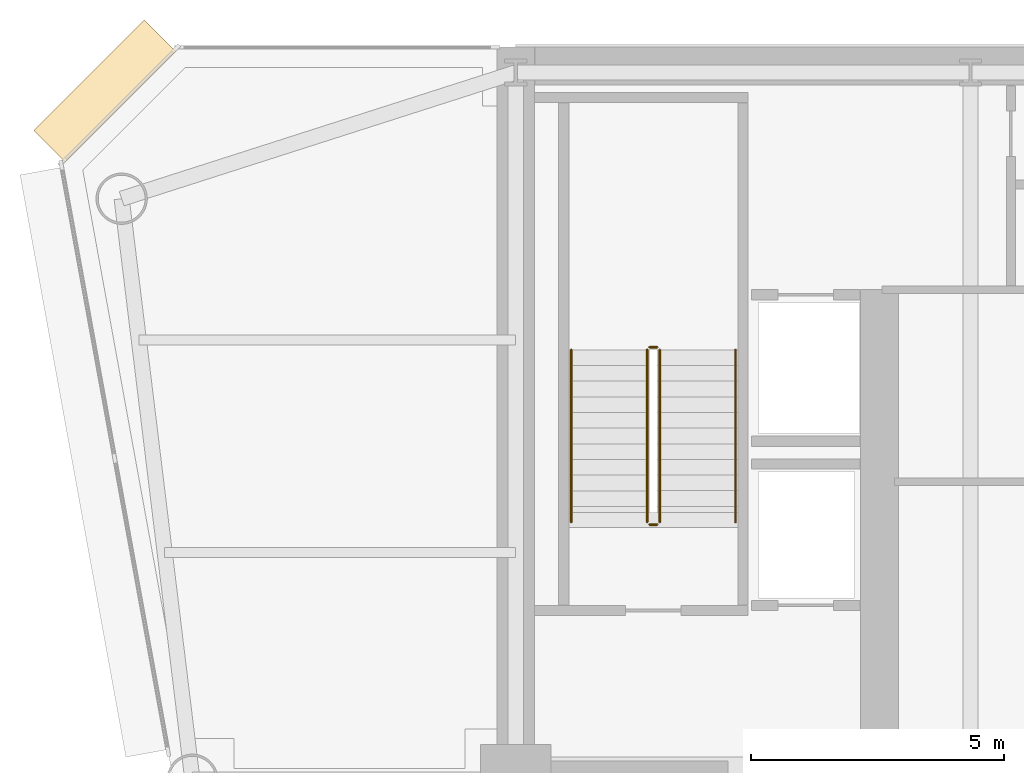
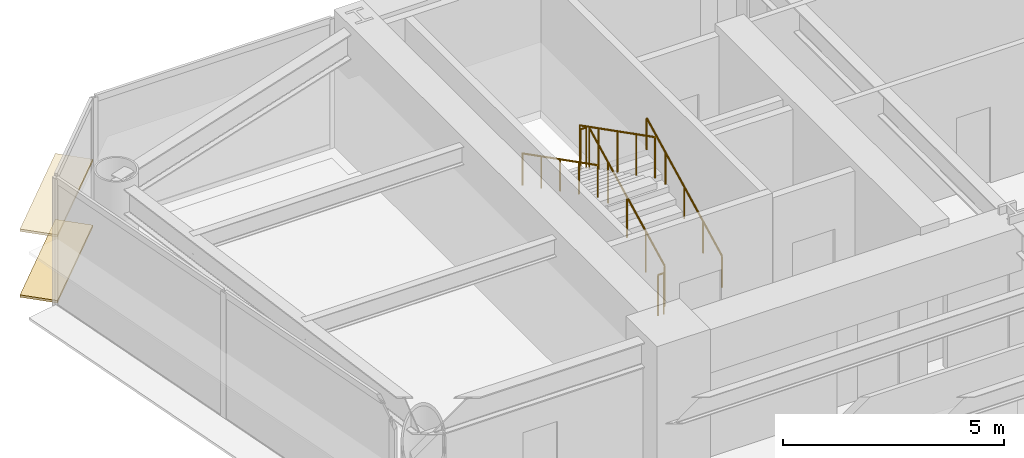
# One storey, part 12 of 14: 6 railings, 2 coverings.
"""IFC4 building model written with IfcOpenShell, lengths in metres."""

from ifc_helpers import new_model, si_unit, direction, frame, origin, origin_2d, place, context, subcontext, project, spatial, rectangle, circle, extrude, source, transform, mapped, material, layer, layer_set, type_object, element, save


model = new_model("IFC4")

# Units and contexts
model_context = context("Model", 3, precision=1e-05, world=origin(), true_north=direction((0.0, 1.0)))
body_context = subcontext(model_context, "Body", "Model", "MODEL_VIEW")
ifc_project = project(units=[si_unit("LENGTHUNIT", "METRE"), si_unit("AREAUNIT", "SQUARE_METRE"), si_unit("VOLUMEUNIT", "CUBIC_METRE"), si_unit("PLANEANGLEUNIT", "RADIAN"), si_unit("MASSUNIT", "GRAM", prefix="KILO")], contexts=[model_context])

# Site, building, storey
site_placement = place(None, origin())
site = spatial("IfcSite", under=ifc_project, at=site_placement, CompositionType="ELEMENT")
building_placement = place(site_placement, origin())
building = spatial("IfcBuilding", under=site, at=building_placement, Name="Vaeldorn Concourse Tower", CompositionType="ELEMENT")
storey_placement = place(building_placement, frame((0.0, 0.0, 122.39990234375)))
storey = spatial("IfcBuildingStorey", under=building, at=storey_placement, Name="L31", CompositionType="ELEMENT", Elevation=122.39990234375)

# Railings
ifc_material = material(Name="Anodised Bronze Aluminium", Category="aluminium")
railing_type_1 = type_object("IfcRailingType", Name="RL-STAIR-GUARD", PredefinedType="GUARDRAIL", material=ifc_material)
railing_1_placement = place(storey_placement, frame((16.85009765625, 41.60009765625, 0.158447265625)))
element("IfcRailing", 1, at=railing_1_placement, inside=storey, type_object=railing_type_1, Name="L31 ST-1 stair guard 1", PredefinedType="GUARDRAIL", context=body_context, shape_type="SweptSolid", body=[
    extrude(circle(Radius=0.02392578125, at=origin_2d()), frame((0.0, 0.0, 1.1259765625), z_axis=(0.0, 0.890555807335, 0.454873997962), x_axis=(-1.0, 0.0, 0.0)), (0.0, 0.0, 1.0), 3.828857421875),
    extrude(circle(Radius=0.02099609375, at=origin_2d()), origin(), (0.0, 0.0, 1.0), 1.101806640625),
    extrude(circle(Radius=0.02099609375, at=origin_2d()), frame((0.0, 0.8525390625, 0.435546875)), (0.0, 0.0, 1.0), 1.101806640625),
    extrude(circle(Radius=0.02099609375, at=origin_2d()), frame((0.0, 1.705078125, 0.870849609375)), (0.0, 0.0, 1.0), 1.101806640625),
    extrude(circle(Radius=0.02099609375, at=origin_2d()), frame((0.0, 2.557373046875, 1.30615234375)), (0.0, 0.0, 1.0), 1.101806640625),
    extrude(circle(Radius=0.02099609375, at=origin_2d()), frame((0.0, 3.409912109375, 1.74169921875)), (0.0, 0.0, 1.0), 1.101806640625),
])
railing_2_placement = place(storey_placement, frame((16.800048828125, 45.06005859375, 1.900146484375)))
element("IfcRailing", 2, at=railing_2_placement, inside=storey, type_object=railing_type_1, Name="L31 ST-1 stair guard 2", PredefinedType="GUARDRAIL", context=body_context, shape_type="SweptSolid", body=[
    extrude(circle(Radius=0.02392578125, at=origin_2d()), frame((0.0, 0.0, 1.1259765625), z_axis=(-1.0, 0.0, 0.0), x_axis=(0.0, -1.0, 0.0)), (0.0, 0.0, 1.0), 0.150146484375),
    extrude(circle(Radius=0.02099609375, at=origin_2d()), origin(), (0.0, 0.0, 1.0), 1.101806640625),
    extrude(circle(Radius=0.02099609375, at=origin_2d()), frame((-0.150146484375, 0.0, 0.0)), (0.0, 0.0, 1.0), 1.101806640625),
])
railing_3_placement = place(storey_placement, frame((16.60009765625, 45.010009765625, 2.058349609375)))
element("IfcRailing", 3, at=railing_3_placement, inside=storey, type_object=railing_type_1, Name="L31 ST-1 stair guard 3", PredefinedType="GUARDRAIL", context=body_context, shape_type="SweptSolid", body=[
    extrude(circle(Radius=0.02392578125, at=origin_2d()), frame((0.0, 0.0, 1.1259765625), z_axis=(0.0, -0.890555807335, 0.454873997962), x_axis=(1.0, 0.0, 0.0)), (0.0, 0.0, 1.0), 3.828857421875),
    extrude(circle(Radius=0.02099609375, at=origin_2d()), origin(), (0.0, 0.0, 1.0), 1.101806640625),
    extrude(circle(Radius=0.02099609375, at=origin_2d()), frame((0.0, -0.8525390625, 0.435546875)), (0.0, 0.0, 1.0), 1.101806640625),
    extrude(circle(Radius=0.02099609375, at=origin_2d()), frame((0.0, -1.705078125, 0.870849609375)), (0.0, 0.0, 1.0), 1.101806640625),
    extrude(circle(Radius=0.02099609375, at=origin_2d()), frame((0.0, -2.557373046875, 1.30615234375)), (0.0, 0.0, 1.0), 1.101806640625),
    extrude(circle(Radius=0.02099609375, at=origin_2d()), frame((0.0, -3.409912109375, 1.74169921875)), (0.0, 0.0, 1.0), 1.101806640625),
])
railing_4_placement = place(storey_placement, frame((16.800048828125, 41.550048828125, 0.0)))
element("IfcRailing", 4, at=railing_4_placement, inside=storey, type_object=railing_type_1, Name="L31 ST-1 stair guard 4", PredefinedType="GUARDRAIL", context=body_context, shape_type="SweptSolid", body=[
    extrude(circle(Radius=0.02392578125, at=origin_2d()), frame((0.0, 0.0, 1.1259765625), z_axis=(-1.0, 0.0, 0.0), x_axis=(0.0, -1.0, 0.0)), (0.0, 0.0, 1.0), 0.150146484375),
    extrude(circle(Radius=0.02099609375, at=origin_2d()), origin(), (0.0, 0.0, 1.0), 1.101806640625),
    extrude(circle(Radius=0.02099609375, at=origin_2d()), frame((-0.150146484375, 0.0, 0.0)), (0.0, 0.0, 1.0), 1.101806640625),
])
railing_type_2 = type_object("IfcRailingType", Name="RL-STAIR-HANDRAIL", PredefinedType="HANDRAIL", material=ifc_material)
railing_5_placement = place(storey_placement, frame((18.35009765625, 41.60009765625, 0.158447265625)))
element("IfcRailing", 5, at=railing_5_placement, inside=storey, type_object=railing_type_2, Name="L31 ST-1 stair handrail 1", PredefinedType="HANDRAIL", context=body_context, shape_type="SweptSolid", body=[
    extrude(circle(Radius=0.02392578125, at=origin_2d()), frame((0.0, 0.0, 0.8759765625), z_axis=(0.0, 0.890555807335, 0.454873997962), x_axis=(-1.0, 0.0, 0.0)), (0.0, 0.0, 1.0), 3.828857421875),
    extrude(circle(Radius=0.02099609375, at=origin_2d()), origin(), (0.0, 0.0, 1.0), 0.851806640625),
    extrude(circle(Radius=0.02099609375, at=origin_2d()), frame((0.0, 0.8525390625, 0.435546875)), (0.0, 0.0, 1.0), 0.851806640625),
    extrude(circle(Radius=0.02099609375, at=origin_2d()), frame((0.0, 1.705078125, 0.870849609375)), (0.0, 0.0, 1.0), 0.851806640625),
    extrude(circle(Radius=0.02099609375, at=origin_2d()), frame((0.0, 2.557373046875, 1.30615234375)), (0.0, 0.0, 1.0), 0.851806640625),
    extrude(circle(Radius=0.02099609375, at=origin_2d()), frame((0.0, 3.409912109375, 1.74169921875)), (0.0, 0.0, 1.0), 0.851806640625),
])
railing_6_placement = place(storey_placement, frame((15.10009765625, 45.010009765625, 2.058349609375)))
element("IfcRailing", 6, at=railing_6_placement, inside=storey, type_object=railing_type_2, Name="L31 ST-1 stair handrail 2", PredefinedType="HANDRAIL", context=body_context, shape_type="SweptSolid", body=[
    extrude(circle(Radius=0.02392578125, at=origin_2d()), frame((0.0, 0.0, 0.8759765625), z_axis=(0.0, -0.890555807335, 0.454873997962), x_axis=(1.0, 0.0, 0.0)), (0.0, 0.0, 1.0), 3.828857421875),
    extrude(circle(Radius=0.02099609375, at=origin_2d()), origin(), (0.0, 0.0, 1.0), 0.851806640625),
    extrude(circle(Radius=0.02099609375, at=origin_2d()), frame((0.0, -0.8525390625, 0.435546875)), (0.0, 0.0, 1.0), 0.851806640625),
    extrude(circle(Radius=0.02099609375, at=origin_2d()), frame((0.0, -1.705078125, 0.870849609375)), (0.0, 0.0, 1.0), 0.851806640625),
    extrude(circle(Radius=0.02099609375, at=origin_2d()), frame((0.0, -2.557373046875, 1.30615234375)), (0.0, 0.0, 1.0), 0.851806640625),
    extrude(circle(Radius=0.02099609375, at=origin_2d()), frame((0.0, -3.409912109375, 1.74169921875)), (0.0, 0.0, 1.0), 0.851806640625),
])

# Coverings
ifc_layer = layer(ifc_material, 0.06494140625)
ifc_layer_set = layer_set([ifc_layer], Name="Anodised Bronze Aluminium")
covering_type = type_object("IfcCoveringType", Name="SD-BRONZE-SUNSHADE", PredefinedType="USERDEFINED", material=ifc_layer_set)
shared_shape = source(origin(), body_context, "Body", "SweptSolid", [
    extrude(rectangle(XDim=3.0927734375, YDim=0.8798828125, at=origin_2d()), origin(), (0.0, 0.0, 1.0), 0.06494140625),
])
for number, where, z_axis, x_axis, name in (
    (7, (5.8671875, 50.1328125, 0.047607421875), (0.0, 0.0, 1.0), (-0.707106781187, -0.707106781187, 0.0), "Horizontal Bronze Sunshade L31-E10.1.1"),
    (8, (5.8671875, 50.1328125, 1.86767578125), (0.0, 0.0, 1.0), (-0.707106781187, -0.707106781187, 0.0), "Horizontal Bronze Sunshade L31-E10.1.2"),
):
    element("IfcCovering", number, at=place(storey_placement, frame(where, z_axis=z_axis, x_axis=x_axis)), inside=storey, type_object=covering_type, Name=name, ObjectType="SUNSHADE", PredefinedType="USERDEFINED", context=body_context, shape_type="MappedRepresentation", body=[
        mapped(shared_shape, transform((0.0, 0.0, 0.0), scale=1.0)),
    ])

save(model, "model.ifc")
